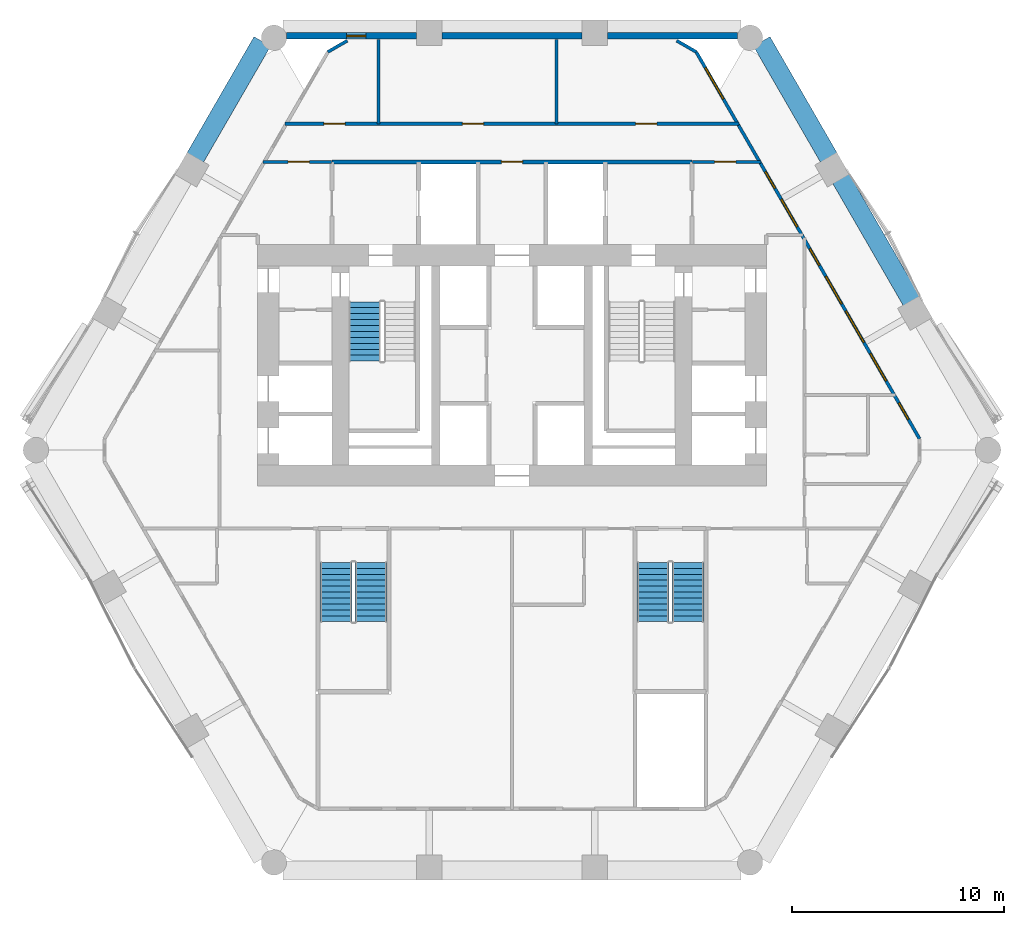
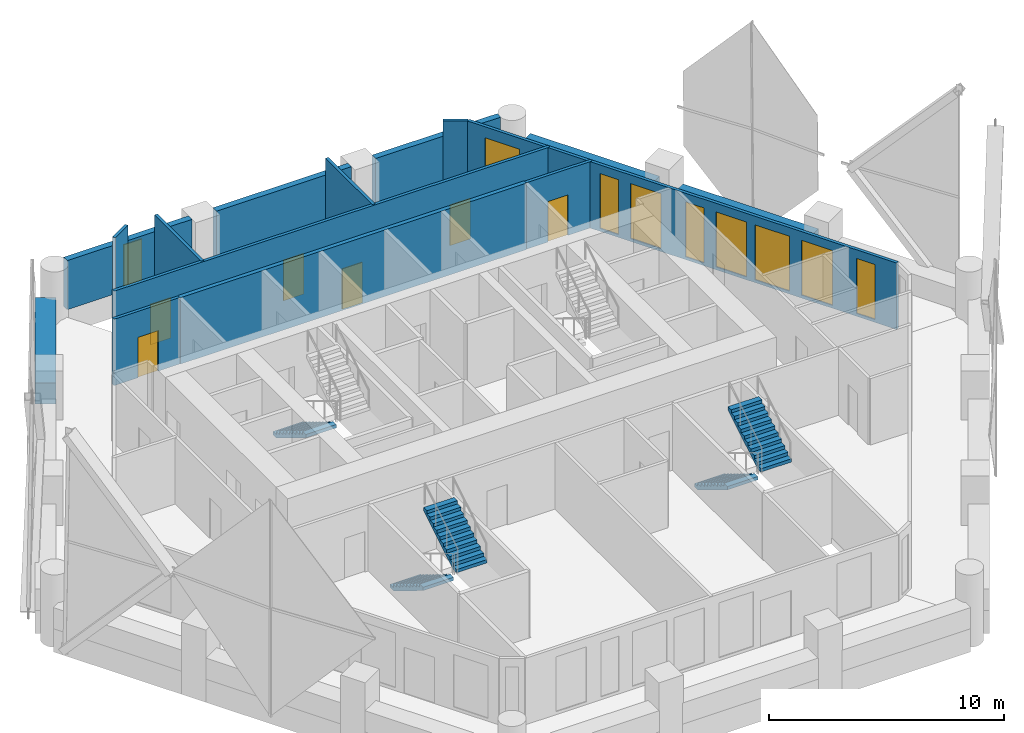
# One storey, part 13 of 16: 15 walls, 9 windows, 6 doors, 5 stair flights, 15 openings, 3 elements without a shape of their own.
"""IFC4 building model written with IfcOpenShell, lengths in metres."""

from ifc_helpers import new_model, si_unit, direction, frame, frame_2d, origin, place, context, subcontext, project, spatial, polyline, rectangle, outline, extrude, material, layer, layer_set, type_object, element, fill, aggregate, save


model = new_model("IFC4")

# Units and contexts
model_context = context("Model", 3, precision=1e-05, world=origin(), true_north=direction((0.0, 1.0)))
body_context = subcontext(model_context, "Body", "Model", "MODEL_VIEW")
ifc_project = project(units=[si_unit("LENGTHUNIT", "METRE"), si_unit("AREAUNIT", "SQUARE_METRE"), si_unit("VOLUMEUNIT", "CUBIC_METRE"), si_unit("PLANEANGLEUNIT", "RADIAN"), si_unit("MASSUNIT", "GRAM", prefix="KILO")], contexts=[model_context])

# Site, building, storey
site_placement = place(None, origin())
site = spatial("IfcSite", under=ifc_project, at=site_placement, CompositionType="ELEMENT")
building_placement = place(site_placement, origin())
building = spatial("IfcBuilding", under=site, at=building_placement, Name="Ostrander Bayou Hotel Tower", CompositionType="ELEMENT")
storey_placement = place(building_placement, frame((0.0, 0.0, 85.5)))
storey = spatial("IfcBuildingStorey", under=building, at=storey_placement, Name="L21", CompositionType="ELEMENT", Elevation=85.5)

# Wall, openings, windows
ifc_material_1 = material(Name="Aluminium framed insulated wall", Category="aluminium")
ifc_layer_1 = layer(ifc_material_1, 0.14990234375)
ifc_layer_set_1 = layer_set([ifc_layer_1], Name="GW1 glass-line wall 150 mm")
wall_type_1 = type_object("IfcWallType", Name="GW1 glass-line wall 150 mm", PredefinedType="SOLIDWALL", material=ifc_layer_set_1)
wall_1_placement = place(storey_placement, frame((19.23583984375, 0.532470703125, 0.0), z_axis=(0.0, 0.0, 1.0), x_axis=(-0.49999341138, 0.866029207692, 0.0)))
wall_1 = element("IfcWall", 1, at=wall_1_placement, inside=storey, type_object=wall_type_1, Name="GW1 L21 NE 1", PredefinedType="SOLIDWALL", context=body_context, shape_type="SweptSolid", body=[
    extrude(rectangle(XDim=21.084716796875, YDim=0.14990234375, at=frame_2d((10.54248046875, 0.0))), origin(), (0.0, 0.0, 1.0), 3.449951171875),
])
opening_1_placement = place(wall_1_placement, frame((1.056884765625, 0.0, 0.14990234375)))
opening_1 = element("IfcOpeningElement", 2, at=opening_1_placement, cuts=wall_1, Name="Opening W16", PredefinedType="OPENING", context=body_context, shape_type="SweptSolid", body=[
    extrude(rectangle(XDim=0.89990234375, YDim=2.85009765625, at=frame_2d((0.449951171875, 1.425048828125))), frame((0.0, 0.074951171875, 0.0), z_axis=(0.0, -1.0, 0.0), x_axis=(1.0, 0.0, 0.0)), (0.0, 0.0, 1.0), 0.14990234375),
])
opening_2_placement = place(wall_1_placement, frame((3.15673828125, 0.0, 0.14990234375)))
opening_2 = element("IfcOpeningElement", 3, at=opening_2_placement, cuts=wall_1, Name="Opening W12", PredefinedType="OPENING", context=body_context, shape_type="SweptSolid", body=[
    extrude(rectangle(XDim=1.5, YDim=2.85009765625, at=frame_2d((0.75, 1.425048828125))), frame((0.0, 0.074951171875, 0.0), z_axis=(0.0, -1.0, 0.0), x_axis=(1.0, 0.0, 0.0)), (0.0, 0.0, 1.0), 0.14990234375),
])
opening_3_placement = place(wall_1_placement, frame((5.2568359375, 0.0, 0.14990234375)))
opening_3 = element("IfcOpeningElement", 4, at=opening_3_placement, cuts=wall_1, Name="Opening W2", PredefinedType="OPENING", context=body_context, shape_type="SweptSolid", body=[
    extrude(rectangle(XDim=1.699951171875, YDim=2.85009765625, at=frame_2d((0.85009765625, 1.425048828125))), frame((0.0, 0.074951171875, 0.0), z_axis=(0.0, -1.0, 0.0), x_axis=(1.0, 0.0, 0.0)), (0.0, 0.0, 1.0), 0.14990234375),
])
opening_4_placement = place(wall_1_placement, frame((7.356689453125, 0.0, 0.14990234375)))
opening_4 = element("IfcOpeningElement", 5, at=opening_4_placement, cuts=wall_1, Name="Opening W12", PredefinedType="OPENING", context=body_context, shape_type="SweptSolid", body=[
    extrude(rectangle(XDim=1.5, YDim=2.85009765625, at=frame_2d((0.75, 1.425048828125))), frame((0.0, 0.074951171875, 0.0), z_axis=(0.0, -1.0, 0.0), x_axis=(1.0, 0.0, 0.0)), (0.0, 0.0, 1.0), 0.14990234375),
])
opening_5_placement = place(wall_1_placement, frame((9.456787109375, 0.0, 0.14990234375)))
opening_5 = element("IfcOpeningElement", 6, at=opening_5_placement, cuts=wall_1, Name="Opening W16", PredefinedType="OPENING", context=body_context, shape_type="SweptSolid", body=[
    extrude(rectangle(XDim=0.89990234375, YDim=2.85009765625, at=frame_2d((0.449951171875, 1.425048828125))), frame((0.0, 0.074951171875, 0.0), z_axis=(0.0, -1.0, 0.0), x_axis=(1.0, 0.0, 0.0)), (0.0, 0.0, 1.0), 0.14990234375),
])
opening_6_placement = place(wall_1_placement, frame((11.556884765625, 0.0, 0.14990234375)))
opening_6 = element("IfcOpeningElement", 7, at=opening_6_placement, cuts=wall_1, Name="Opening W12", PredefinedType="OPENING", context=body_context, shape_type="SweptSolid", body=[
    extrude(rectangle(XDim=1.5, YDim=2.85009765625, at=frame_2d((0.75, 1.425048828125))), frame((0.0, 0.074951171875, 0.0), z_axis=(0.0, -1.0, 0.0), x_axis=(1.0, 0.0, 0.0)), (0.0, 0.0, 1.0), 0.14990234375),
])
opening_7_placement = place(wall_1_placement, frame((13.65673828125, 0.0, 0.14990234375)))
opening_7 = element("IfcOpeningElement", 8, at=opening_7_placement, cuts=wall_1, Name="Opening W16", PredefinedType="OPENING", context=body_context, shape_type="SweptSolid", body=[
    extrude(rectangle(XDim=0.89990234375, YDim=2.85009765625, at=frame_2d((0.449951171875, 1.425048828125))), frame((0.0, 0.074951171875, 0.0), z_axis=(0.0, -1.0, 0.0), x_axis=(1.0, 0.0, 0.0)), (0.0, 0.0, 1.0), 0.14990234375),
])
opening_8_placement = place(wall_1_placement, frame((18.520751953125, 0.0, 0.14990234375)))
opening_8 = element("IfcOpeningElement", 9, at=opening_8_placement, cuts=wall_1, Name="Opening W2", PredefinedType="OPENING", context=body_context, shape_type="SweptSolid", body=[
    extrude(rectangle(XDim=1.699951171875, YDim=2.72998046875, at=frame_2d((0.85009765625, 1.364990234375))), frame((0.0, 0.074951171875, 0.0), z_axis=(0.0, -1.0, 0.0), x_axis=(1.0, 0.0, 0.0)), (0.0, 0.0, 1.0), 0.14990234375),
])
ifc_material_2 = material(Name="Aluminium and clear glass", Category="aluminium")
window_type_1 = type_object("IfcWindowType", Name="W12 fixed window 1500 mm, bath bay, zone 2", PartitioningType="SINGLE_PANEL", PredefinedType="WINDOW", material=ifc_material_2)
window_1_placement = place(opening_2_placement, origin())
window_1 = element("IfcWindow", 10, at=window_1_placement, inside=storey, type_object=window_type_1, Name="W12 L21 NE 1", OverallHeight=2.85009765625, OverallWidth=1.5, PartitioningType="SINGLE_PANEL", PredefinedType="WINDOW", context=body_context, shape_type="SweptSolid", body=[
    extrude(rectangle(XDim=1.5, YDim=2.85009765625, at=frame_2d((0.75, 1.425048828125))), frame((0.0, 0.030029296875, 0.0), z_axis=(0.0, -1.0, 0.0), x_axis=(1.0, 0.0, 0.0)), (0.0, 0.0, 1.0), 0.06005859375),
])
fill(opening_2, window_1)
window_2_placement = place(opening_4_placement, origin())
window_2 = element("IfcWindow", 11, at=window_2_placement, inside=storey, type_object=window_type_1, Name="W12 L21 NE 2", OverallHeight=2.85009765625, OverallWidth=1.5, PartitioningType="SINGLE_PANEL", PredefinedType="WINDOW", context=body_context, shape_type="SweptSolid", body=[
    extrude(rectangle(XDim=1.5, YDim=2.85009765625, at=frame_2d((0.75, 1.425048828125))), frame((0.0, 0.030029296875, 0.0), z_axis=(0.0, -1.0, 0.0), x_axis=(1.0, 0.0, 0.0)), (0.0, 0.0, 1.0), 0.06005859375),
])
fill(opening_4, window_2)
window_3_placement = place(opening_6_placement, origin())
window_3 = element("IfcWindow", 12, at=window_3_placement, inside=storey, type_object=window_type_1, Name="W12 L21 NE 3", OverallHeight=2.85009765625, OverallWidth=1.5, PartitioningType="SINGLE_PANEL", PredefinedType="WINDOW", context=body_context, shape_type="SweptSolid", body=[
    extrude(rectangle(XDim=1.5, YDim=2.85009765625, at=frame_2d((0.75, 1.425048828125))), frame((0.0, 0.030029296875, 0.0), z_axis=(0.0, -1.0, 0.0), x_axis=(1.0, 0.0, 0.0)), (0.0, 0.0, 1.0), 0.06005859375),
])
fill(opening_6, window_3)
ifc_material_3 = material(Name="Aluminium and clear glass", Category="aluminium")
window_type_2 = type_object("IfcWindowType", Name="W16 window 900 mm, zone 2", PartitioningType="SINGLE_PANEL", PredefinedType="WINDOW", material=ifc_material_3)
window_4_placement = place(opening_1_placement, origin())
window_4 = element("IfcWindow", 13, at=window_4_placement, inside=storey, type_object=window_type_2, Name="W16 L21 NE 1", OverallHeight=2.85009765625, OverallWidth=0.89990234375, PartitioningType="SINGLE_PANEL", PredefinedType="WINDOW", context=body_context, shape_type="SweptSolid", body=[
    extrude(rectangle(XDim=0.89990234375, YDim=2.85009765625, at=frame_2d((0.449951171875, 1.425048828125))), frame((0.0, 0.030029296875, 0.0), z_axis=(0.0, -1.0, 0.0), x_axis=(1.0, 0.0, 0.0)), (0.0, 0.0, 1.0), 0.06005859375),
])
fill(opening_1, window_4)
window_5_placement = place(opening_5_placement, origin())
window_5 = element("IfcWindow", 14, at=window_5_placement, inside=storey, type_object=window_type_2, Name="W16 L21 NE 3", OverallHeight=2.85009765625, OverallWidth=0.89990234375, PartitioningType="SINGLE_PANEL", PredefinedType="WINDOW", context=body_context, shape_type="SweptSolid", body=[
    extrude(rectangle(XDim=0.89990234375, YDim=2.85009765625, at=frame_2d((0.449951171875, 1.425048828125))), frame((0.0, 0.030029296875, 0.0), z_axis=(0.0, -1.0, 0.0), x_axis=(1.0, 0.0, 0.0)), (0.0, 0.0, 1.0), 0.06005859375),
])
fill(opening_5, window_5)
window_6_placement = place(opening_7_placement, origin())
window_6 = element("IfcWindow", 15, at=window_6_placement, inside=storey, type_object=window_type_2, Name="W16 L21 NE 4", OverallHeight=2.85009765625, OverallWidth=0.89990234375, PartitioningType="SINGLE_PANEL", PredefinedType="WINDOW", context=body_context, shape_type="SweptSolid", body=[
    extrude(rectangle(XDim=0.89990234375, YDim=2.85009765625, at=frame_2d((0.449951171875, 1.425048828125))), frame((0.0, 0.030029296875, 0.0), z_axis=(0.0, -1.0, 0.0), x_axis=(1.0, 0.0, 0.0)), (0.0, 0.0, 1.0), 0.06005859375),
])
fill(opening_7, window_6)
ifc_material_4 = material(Name="Aluminium and clear glass", Category="aluminium")
window_type_3 = type_object("IfcWindowType", Name="W2 fixed window 1700 mm, zone 2", PartitioningType="SINGLE_PANEL", PredefinedType="WINDOW", material=ifc_material_4)
window_7_placement = place(opening_3_placement, origin())
window_7 = element("IfcWindow", 16, at=window_7_placement, inside=storey, type_object=window_type_3, Name="W2 L21 NE 2", OverallHeight=2.85009765625, OverallWidth=1.699951171875, PartitioningType="SINGLE_PANEL", PredefinedType="WINDOW", context=body_context, shape_type="SweptSolid", body=[
    extrude(rectangle(XDim=1.699951171875, YDim=2.85009765625, at=frame_2d((0.85009765625, 1.425048828125))), frame((0.0, 0.030029296875, 0.0), z_axis=(0.0, -1.0, 0.0), x_axis=(1.0, 0.0, 0.0)), (0.0, 0.0, 1.0), 0.06005859375),
])
fill(opening_3, window_7)
window_8_placement = place(opening_8_placement, origin())
window_8 = element("IfcWindow", 17, at=window_8_placement, inside=storey, type_object=window_type_3, Name="W2 L21 NE E21", OverallHeight=2.72998046875, OverallWidth=1.699951171875, PartitioningType="SINGLE_PANEL", PredefinedType="WINDOW", context=body_context, shape_type="SweptSolid", body=[
    extrude(rectangle(XDim=1.699951171875, YDim=2.72998046875, at=frame_2d((0.85009765625, 1.364990234375))), frame((0.0, 0.030029296875, 0.0), z_axis=(0.0, -1.0, 0.0), x_axis=(1.0, 0.0, 0.0)), (0.0, 0.0, 1.0), 0.06005859375),
])
fill(opening_8, window_8)

# Walls
for number, where, z_axis, x_axis, name in (
    (18, (-7.77099609375, 19.324951171875, 0.0), (0.0, 0.0, 1.0), (-0.866105447774, -0.499861334108, 0.0), "GW1 L21 corner 1"),
    (19, (8.693603515625, 18.79248046875, 0.0), (0.0, 0.0, 1.0), (-0.866105447774, 0.499861334108, 0.0), "GW1 L21 corner 6"),
):
    element("IfcWall", number, at=place(storey_placement, frame(where, z_axis=z_axis, x_axis=x_axis)), inside=storey, type_object=wall_type_1, Name=name, PredefinedType="SOLIDWALL", context=body_context, shape_type="SweptSolid", body=[
        extrude(rectangle(XDim=1.065185546875, YDim=0.14990234375, at=frame_2d((0.53271484375, 0.0))), origin(), (0.0, 0.0, 1.0), 3.449951171875),
    ])
ifc_material_5 = material(Name="Reconstituted stone on masonry backing", Category="masonry")
ifc_layer_2 = layer(ifc_material_5, 0.300048828125)
ifc_layer_set_2 = layer_set([ifc_layer_2], Name="NW1 north stone wall 300 mm")
wall_type_2 = type_object("IfcWallType", Name="NW1 north stone wall 300 mm", PredefinedType="SOLIDWALL", material=ifc_layer_set_2)
wall_2_placement = place(storey_placement, frame((10.6435546875, 19.550048828125, 0.0), z_axis=(0.0, 0.0, 1.0), x_axis=(-1.0, 0.0, 0.0)))
element("IfcWall", 20, at=wall_2_placement, inside=storey, type_object=wall_type_2, Name="NW1 L21 N-1", PredefinedType="SOLIDWALL", context=body_context, shape_type="SweptSolid", body=[
    extrude(rectangle(XDim=6.136962890625, YDim=0.300048828125, at=frame_2d((3.068359375, 0.0))), origin(), (0.0, 0.0, 1.0), 2.550048828125),
])
wall_3_placement = place(storey_placement, frame((3.306640625, 19.550048828125, 0.0), z_axis=(0.0, 0.0, 1.0), x_axis=(-1.0, 0.0, 0.0)))
element("IfcWall", 21, at=wall_3_placement, inside=storey, type_object=wall_type_2, Name="NW1 L21 N-2", PredefinedType="SOLIDWALL", context=body_context, shape_type="SweptSolid", body=[
    extrude(rectangle(XDim=6.61328125, YDim=0.300048828125, at=frame_2d((3.306640625, 0.0))), origin(), (0.0, 0.0, 1.0), 2.550048828125),
])

# Wall, opening, window
wall_4_placement = place(storey_placement, frame((-4.506591796875, 19.550048828125, 0.0), z_axis=(0.0, 0.0, 1.0), x_axis=(-1.0, 0.0, 0.0)))
wall_4 = element("IfcWall", 22, at=wall_4_placement, inside=storey, type_object=wall_type_2, Name="NW1 L21 N-3", PredefinedType="SOLIDWALL", context=body_context, shape_type="SweptSolid", body=[
    extrude(rectangle(XDim=6.136962890625, YDim=0.300048828125, at=frame_2d((3.068359375, 0.0))), origin(), (0.0, 0.0, 1.0), 2.550048828125),
])
opening_9_placement = place(wall_4_placement, frame((2.393310546875, 0.0, 0.14990234375)))
opening_9 = element("IfcOpeningElement", 23, at=opening_9_placement, cuts=wall_4, Name="Opening W16", PredefinedType="OPENING", context=body_context, shape_type="SweptSolid", body=[
    extrude(rectangle(XDim=0.89990234375, YDim=2.14990234375, at=frame_2d((0.449951171875, 1.074951171875))), frame((0.0, 0.14990234375, 0.0), z_axis=(0.0, -1.0, 0.0), x_axis=(1.0, 0.0, 0.0)), (0.0, 0.0, 1.0), 0.300048828125),
])
window_9_placement = place(opening_9_placement, origin())
window_9 = element("IfcWindow", 24, at=window_9_placement, inside=storey, type_object=window_type_2, Name="W16 L21 north N-3", OverallHeight=2.14990234375, OverallWidth=0.89990234375, PartitioningType="SINGLE_PANEL", PredefinedType="WINDOW", context=body_context, shape_type="SweptSolid", body=[
    extrude(rectangle(XDim=0.89990234375, YDim=2.14990234375, at=frame_2d((0.449951171875, 1.074951171875))), frame((0.0, 0.030029296875, 0.0), z_axis=(0.0, -1.0, 0.0), x_axis=(1.0, 0.0, 0.0)), (0.0, 0.0, 1.0), 0.06005859375),
])
fill(opening_9, window_9)

# Walls
ifc_material_6 = material(Name="Concrete f'c 40 MPa", Category="concrete")
ifc_layer_3 = layer(ifc_material_6, 0.89990234375)
ifc_layer_set_3 = layer_set([ifc_layer_3], Name="PA1 stone-faced parapet 900 mm")
wall_type_3 = type_object("IfcWallType", Name="PA1 stone-faced parapet 900 mm", PredefinedType="PARAPET", material=ifc_layer_set_3)
wall_5_placement = place(storey_placement, frame((-11.785888671875, 19.286376953125, 0.0), z_axis=(0.0, 0.0, 1.0), x_axis=(-0.499982754166, -0.866035360443, 0.0)))
element("IfcWall", 25, at=wall_5_placement, inside=storey, type_object=wall_type_3, Name="PA1 L21 NW-1", PredefinedType="PARAPET", context=body_context, shape_type="SweptSolid", body=[
    extrude(rectangle(XDim=6.332763671875, YDim=0.89990234375, at=frame_2d((3.16650390625, 0.0))), origin(), (0.0, 0.0, 1.0), 1.10009765625),
])
wall_6_placement = place(storey_placement, frame((18.85888671875, 7.035400390625, 0.0), z_axis=(0.0, 0.0, 1.0), x_axis=(-0.499999023957, 0.866025967302, 0.0)))
element("IfcWall", 26, at=wall_6_placement, inside=storey, type_object=wall_type_3, Name="PA1 L21 NE-2", PredefinedType="PARAPET", context=body_context, shape_type="SweptSolid", body=[
    extrude(rectangle(XDim=6.67333984375, YDim=0.89990234375, at=frame_2d((3.336669921875, 0.0))), origin(), (0.0, 0.0, 1.0), 1.10009765625),
])
wall_7_placement = place(storey_placement, frame((14.9521484375, 13.802001953125, 0.0), z_axis=(0.0, 0.0, 1.0), x_axis=(-0.499982754166, 0.866035360443, 0.0)))
element("IfcWall", 27, at=wall_7_placement, inside=storey, type_object=wall_type_3, Name="PA1 L21 NE-3", PredefinedType="PARAPET", context=body_context, shape_type="SweptSolid", body=[
    extrude(rectangle(XDim=6.332763671875, YDim=0.89990234375, at=frame_2d((3.16650390625, 0.0))), origin(), (0.0, 0.0, 1.0), 1.10009765625),
])

# Wall, opening, door
ifc_material_7 = material(Name="Masonry block", Category="masonry")
ifc_layer_4 = layer(ifc_material_7, 0.199951171875)
ifc_layer_set_4 = layer_set([ifc_layer_4], Name="PT5 stair enclosure wall 200 mm masonry, 2 hour")
wall_type_4 = type_object("IfcWallType", Name="PT5 stair enclosure wall 200 mm masonry, 2 hour", PredefinedType="PARTITIONING", material=ifc_layer_set_4)
wall_8_placement = place(storey_placement, frame((-8.5, 13.60009765625, 0.0), z_axis=(0.0, 0.0, 1.0), x_axis=(1.0, 0.0, 0.0)))
wall_8 = element("IfcWall", 28, at=wall_8_placement, inside=storey, type_object=wall_type_4, Name="cs:L21:025", PredefinedType="PARTITIONING", context=body_context, shape_type="SweptSolid", body=[
    extrude(rectangle(XDim=17.0, YDim=0.199951171875, at=frame_2d((8.5, 0.0))), origin(), (0.0, 0.0, 1.0), 3.449951171875),
])
opening_10_placement = place(wall_8_placement, frame((8.0, 0.0, 0.0)))
opening_10 = element("IfcOpeningElement", 29, at=opening_10_placement, cuts=wall_8, Name="Opening T21-013", PredefinedType="OPENING", context=body_context, shape_type="SweptSolid", body=[
    extrude(rectangle(XDim=1.0, YDim=2.10009765625, at=frame_2d((0.5, 1.050048828125))), frame((0.0, 0.10009765625, 0.0), z_axis=(0.0, -1.0, 0.0), x_axis=(1.0, 0.0, 0.0)), (0.0, 0.0, 1.0), 0.199951171875),
])
ifc_material_8 = material(Name="Timber door leaf", Category="wood")
door_type_1 = type_object("IfcDoorType", Name="D9 service door 1000 x 2100 mm, 30 minute", OperationType="SINGLE_SWING_LEFT", PredefinedType="DOOR", material=ifc_material_8)
door_1_placement = place(opening_10_placement, origin())
door_1 = element("IfcDoor", 30, at=door_1_placement, inside=storey, type_object=door_type_1, Name="dr:L21:013", OperationType="SINGLE_SWING_LEFT", OverallHeight=2.10009765625, OverallWidth=1.0, PredefinedType="DOOR", context=body_context, shape_type="SweptSolid", body=[
    extrude(rectangle(XDim=1.0, YDim=2.10009765625, at=frame_2d((0.5, 1.050048828125))), frame((0.0, 0.02490234375, 0.0), z_axis=(0.0, -1.0, 0.0), x_axis=(1.0, 0.0, 0.0)), (0.0, 0.0, 1.0), 0.050048828125),
])
fill(opening_10, door_1)

ifc_material_9 = material(Name="Gypsum board partition", Category="finish")
ifc_layer_5 = layer(ifc_material_9, 0.14990234375)
ifc_layer_set_5 = layer_set([ifc_layer_5], Name="PT8 service band wall 150 mm, 1 hour")
wall_type_5 = type_object("IfcWallType", Name="PT8 service band wall 150 mm, 1 hour", PredefinedType="PARTITIONING", material=ifc_layer_set_5)
wall_9_placement = place(storey_placement, frame((-11.742919921875, 13.60009765625, 0.0), z_axis=(0.0, 0.0, 1.0), x_axis=(1.0, 0.0, 0.0)))
wall_9 = element("IfcWall", 31, at=wall_9_placement, inside=storey, type_object=wall_type_5, Name="gw:L21:013", PredefinedType="PARTITIONING", context=body_context, shape_type="SweptSolid", body=[
    extrude(rectangle(XDim=3.23291015625, YDim=0.14990234375, at=frame_2d((1.616455078125, 0.0))), origin(), (0.0, 0.0, 1.0), 3.449951171875),
])
opening_11_placement = place(wall_9_placement, frame((1.177978515625, 0.0, 0.0)))
opening_11 = element("IfcOpeningElement", 32, at=opening_11_placement, cuts=wall_9, Name="Opening T21-416", PredefinedType="OPENING", context=body_context, shape_type="SweptSolid", body=[
    extrude(rectangle(XDim=1.0, YDim=2.10009765625, at=frame_2d((0.5, 1.050048828125))), frame((0.0, 0.074951171875, 0.0), z_axis=(0.0, -1.0, 0.0), x_axis=(1.0, 0.0, 0.0)), (0.0, 0.0, 1.0), 0.14990234375),
])
door_2_placement = place(opening_11_placement, origin())
door_2 = element("IfcDoor", 33, at=door_2_placement, inside=storey, type_object=door_type_1, Name="dr:L21:416", OperationType="SINGLE_SWING_RIGHT", OverallHeight=2.10009765625, OverallWidth=1.0, PredefinedType="DOOR", context=body_context, shape_type="SweptSolid", body=[
    extrude(rectangle(XDim=1.0, YDim=2.10009765625, at=frame_2d((0.5, 1.050048828125))), frame((0.0, 0.02490234375, 0.0), z_axis=(0.0, -1.0, 0.0), x_axis=(1.0, 0.0, 0.0)), (0.0, 0.0, 1.0), 0.050048828125),
])
fill(opening_11, door_2)

wall_10_placement = place(storey_placement, frame((8.510009765625, 13.60009765625, 0.0), z_axis=(0.0, 0.0, 1.0), x_axis=(1.0, 0.0, 0.0)))
wall_10 = element("IfcWall", 34, at=wall_10_placement, inside=storey, type_object=wall_type_5, Name="gw:L21:014", PredefinedType="PARTITIONING", context=body_context, shape_type="SweptSolid", body=[
    extrude(rectangle(XDim=3.23291015625, YDim=0.14990234375, at=frame_2d((1.616455078125, 0.0))), origin(), (0.0, 0.0, 1.0), 3.449951171875),
])
opening_12_placement = place(wall_10_placement, frame((1.054931640625, 0.0, 0.0)))
opening_12 = element("IfcOpeningElement", 35, at=opening_12_placement, cuts=wall_10, Name="Opening T21-417", PredefinedType="OPENING", context=body_context, shape_type="SweptSolid", body=[
    extrude(rectangle(XDim=1.0, YDim=2.10009765625, at=frame_2d((0.5, 1.050048828125))), frame((0.0, 0.074951171875, 0.0), z_axis=(0.0, -1.0, 0.0), x_axis=(1.0, 0.0, 0.0)), (0.0, 0.0, 1.0), 0.14990234375),
])
door_3_placement = place(opening_12_placement, origin())
door_3 = element("IfcDoor", 36, at=door_3_placement, inside=storey, type_object=door_type_1, Name="dr:L21:417", OperationType="SINGLE_SWING_LEFT", OverallHeight=2.10009765625, OverallWidth=1.0, PredefinedType="DOOR", context=body_context, shape_type="SweptSolid", body=[
    extrude(rectangle(XDim=1.0, YDim=2.10009765625, at=frame_2d((0.5, 1.050048828125))), frame((0.0, 0.02490234375, 0.0), z_axis=(0.0, -1.0, 0.0), x_axis=(1.0, 0.0, 0.0)), (0.0, 0.0, 1.0), 0.050048828125),
])
fill(opening_12, door_3)

# Wall, openings, doors
wall_11_placement = place(storey_placement, frame((-10.7041015625, 15.39990234375, 0.0), z_axis=(0.0, 0.0, 1.0), x_axis=(1.0, 0.0, 0.0)))
wall_11 = element("IfcWall", 37, at=wall_11_placement, inside=storey, type_object=wall_type_5, Name="gw:L21:015", PredefinedType="PARTITIONING", context=body_context, shape_type="SweptSolid", body=[
    extrude(rectangle(XDim=21.408203125, YDim=0.14990234375, at=frame_2d((10.7041015625, 0.0))), origin(), (0.0, 0.0, 1.0), 3.449951171875),
])
opening_13_placement = place(wall_11_placement, frame((1.824951171875, 0.0, 0.0)))
opening_13 = element("IfcOpeningElement", 38, at=opening_13_placement, cuts=wall_11, Name="Opening T21-413", PredefinedType="OPENING", context=body_context, shape_type="SweptSolid", body=[
    extrude(rectangle(XDim=1.0, YDim=2.10009765625, at=frame_2d((0.5, 1.050048828125))), frame((0.0, 0.074951171875, 0.0), z_axis=(0.0, -1.0, 0.0), x_axis=(1.0, 0.0, 0.0)), (0.0, 0.0, 1.0), 0.14990234375),
])
opening_14_placement = place(wall_11_placement, frame((8.362060546875, 0.0, 0.0)))
opening_14 = element("IfcOpeningElement", 39, at=opening_14_placement, cuts=wall_11, Name="Opening T21-414", PredefinedType="OPENING", context=body_context, shape_type="SweptSolid", body=[
    extrude(rectangle(XDim=1.0, YDim=2.10009765625, at=frame_2d((0.5, 1.050048828125))), frame((0.0, 0.074951171875, 0.0), z_axis=(0.0, -1.0, 0.0), x_axis=(1.0, 0.0, 0.0)), (0.0, 0.0, 1.0), 0.14990234375),
])
opening_15_placement = place(wall_11_placement, frame((16.535888671875, 0.0, 0.0)))
opening_15 = element("IfcOpeningElement", 40, at=opening_15_placement, cuts=wall_11, Name="Opening T21-415", PredefinedType="OPENING", context=body_context, shape_type="SweptSolid", body=[
    extrude(rectangle(XDim=1.0, YDim=2.10009765625, at=frame_2d((0.5, 1.050048828125))), frame((0.0, 0.074951171875, 0.0), z_axis=(0.0, -1.0, 0.0), x_axis=(1.0, 0.0, 0.0)), (0.0, 0.0, 1.0), 0.14990234375),
])
ifc_material_10 = material(Name="Timber door leaf", Category="wood")
door_type_2 = type_object("IfcDoorType", Name="D15 room door 1000 x 2100 mm", OperationType="SINGLE_SWING_LEFT", PredefinedType="DOOR", material=ifc_material_10)
door_4_placement = place(opening_13_placement, origin())
door_4 = element("IfcDoor", 41, at=door_4_placement, inside=storey, type_object=door_type_2, Name="dr:L21:413", OperationType="SINGLE_SWING_LEFT", OverallHeight=2.10009765625, OverallWidth=1.0, PredefinedType="DOOR", context=body_context, shape_type="SweptSolid", body=[
    extrude(rectangle(XDim=1.0, YDim=2.10009765625, at=frame_2d((0.5, 1.050048828125))), frame((0.0, 0.02490234375, 0.0), z_axis=(0.0, -1.0, 0.0), x_axis=(1.0, 0.0, 0.0)), (0.0, 0.0, 1.0), 0.050048828125),
])
fill(opening_13, door_4)
door_5_placement = place(opening_14_placement, origin())
door_5 = element("IfcDoor", 42, at=door_5_placement, inside=storey, type_object=door_type_2, Name="dr:L21:414", OperationType="SINGLE_SWING_RIGHT", OverallHeight=2.10009765625, OverallWidth=1.0, PredefinedType="DOOR", context=body_context, shape_type="SweptSolid", body=[
    extrude(rectangle(XDim=1.0, YDim=2.10009765625, at=frame_2d((0.5, 1.050048828125))), frame((0.0, 0.02490234375, 0.0), z_axis=(0.0, -1.0, 0.0), x_axis=(1.0, 0.0, 0.0)), (0.0, 0.0, 1.0), 0.050048828125),
])
fill(opening_14, door_5)
door_6_placement = place(opening_15_placement, origin())
door_6 = element("IfcDoor", 43, at=door_6_placement, inside=storey, type_object=door_type_1, Name="dr:L21:415", OperationType="SINGLE_SWING_LEFT", OverallHeight=2.10009765625, OverallWidth=1.0, PredefinedType="DOOR", context=body_context, shape_type="SweptSolid", body=[
    extrude(rectangle(XDim=1.0, YDim=2.10009765625, at=frame_2d((0.5, 1.050048828125))), frame((0.0, 0.02490234375, 0.0), z_axis=(0.0, -1.0, 0.0), x_axis=(1.0, 0.0, 0.0)), (0.0, 0.0, 1.0), 0.050048828125),
])
fill(opening_15, door_6)

# Walls
for number, where, z_axis, x_axis, name in (
    (44, (2.10009765625, 15.39990234375, 0.0), (0.0, 0.0, 1.0), (0.0, 1.0, 0.0), "gw:L21:023"),
    (45, (-6.300048828125, 15.39990234375, 0.0), (0.0, 0.0, 1.0), (0.0, 1.0, 0.0), "gw:L21:025"),
):
    element("IfcWall", number, at=place(storey_placement, frame(where, z_axis=z_axis, x_axis=x_axis)), inside=storey, type_object=wall_type_5, Name=name, PredefinedType="PARTITIONING", context=body_context, shape_type="SweptSolid", body=[
        extrude(rectangle(XDim=3.97021484375, YDim=0.14990234375, at=frame_2d((1.985107421875, 0.0))), origin(), (0.0, 0.0, 1.0), 3.449951171875),
    ])

# Stair, stair flight
ifc_material_11 = material(Name="Concrete f'c 45 MPa", Category="concrete")
stair_type = type_object("IfcStairType", Name="ST1 exit stair 1500 mm f'c 45 MPa", PredefinedType="HALF_TURN_STAIR", material=ifc_material_11)
stair_1_placement = place(storey_placement, origin())
stair_1 = element("IfcStair", 46, at=stair_1_placement, inside=storey, type_object=stair_type, Name="L21 exit stair A", PredefinedType="HALF_TURN_STAIR")
ifc_material_12 = material(Name="Concrete f'c 45 MPa", Category="concrete")
stair_flight_type = type_object("IfcStairFlightType", Name="SF1 stair flight 1500 mm f'c 45 MPa", PredefinedType="STRAIGHT", material=ifc_material_12)
stair_flight_1_placement = place(storey_placement, frame((-6.949951171875, 7.0, 0.0), z_axis=(0.0, 0.0, 1.0), x_axis=(0.0, -1.0, 0.0)))
stair_flight_1 = element("IfcStairFlight", 47, at=stair_flight_1_placement, type_object=stair_flight_type, Name="STA flight 1", NumberOfRisers=11, NumberOfTreads=10, PredefinedType="STRAIGHT", RiserHeight=0.170454545, TreadLength=0.28, context=body_context, shape_type="SweptSolid", body=[
    extrude(outline(polyline([(0.0, 0.0), (0.0, 0.17041015625), (0.280029296875, 0.17041015625), (0.280029296875, 0.3408203125), (0.56005859375, 0.3408203125), (0.56005859375, 0.511474609375), (0.840087890625, 0.511474609375), (0.840087890625, 0.681884765625), (1.1201171875, 0.681884765625), (1.1201171875, 0.852294921875), (1.39990234375, 0.852294921875), (1.39990234375, 1.022705078125), (1.679931640625, 1.022705078125), (1.679931640625, 1.193115234375), (1.9599609375, 1.193115234375), (1.9599609375, 1.363525390625), (2.239990234375, 1.363525390625), (2.239990234375, 1.5341796875), (2.52001953125, 1.5341796875), (2.52001953125, 1.70458984375), (2.800048828125, 1.70458984375), (2.800048828125, 1.875), (2.800048828125, 1.529052734375), (0.288330078125, 0.0), (0.0, 0.0)])), frame((0.0, 0.75, 0.0), z_axis=(0.0, -1.0, 0.0), x_axis=(1.0, 0.0, 0.0)), (0.0, 0.0, 1.0), 1.5),
])
aggregate(stair_1, [stair_flight_1])

# Stair, stair flights
stair_2_placement = place(storey_placement, origin())
stair_2 = element("IfcStair", 48, at=stair_2_placement, inside=storey, type_object=stair_type, Name="L21 exit stair C", PredefinedType="HALF_TURN_STAIR")
stair_flight_2_placement = place(storey_placement, frame((6.64990234375, -5.300048828125, 0.0), z_axis=(0.0, 0.0, 1.0), x_axis=(0.0, -1.0, 0.0)))
stair_flight_2 = element("IfcStairFlight", 49, at=stair_flight_2_placement, type_object=stair_flight_type, Name="STC flight 1", NumberOfRisers=11, NumberOfTreads=10, PredefinedType="STRAIGHT", RiserHeight=0.170454545, TreadLength=0.28, context=body_context, shape_type="SweptSolid", body=[
    extrude(outline(polyline([(0.0, 0.0), (0.0, 0.17041015625), (0.280029296875, 0.17041015625), (0.280029296875, 0.3408203125), (0.56005859375, 0.3408203125), (0.56005859375, 0.511474609375), (0.840087890625, 0.511474609375), (0.840087890625, 0.681884765625), (1.1201171875, 0.681884765625), (1.1201171875, 0.852294921875), (1.39990234375, 0.852294921875), (1.39990234375, 1.022705078125), (1.679931640625, 1.022705078125), (1.679931640625, 1.193115234375), (1.9599609375, 1.193115234375), (1.9599609375, 1.363525390625), (2.239990234375, 1.363525390625), (2.239990234375, 1.5341796875), (2.52001953125, 1.5341796875), (2.52001953125, 1.70458984375), (2.800048828125, 1.70458984375), (2.800048828125, 1.875), (2.800048828125, 1.529052734375), (0.288330078125, 0.0), (0.0, 0.0)])), frame((0.0, 0.75, 0.0), z_axis=(0.0, -1.0, 0.0), x_axis=(1.0, 0.0, 0.0)), (0.0, 0.0, 1.0), 1.5),
])
stair_flight_3_placement = place(storey_placement, frame((8.300048828125, -8.10009765625, 1.875), z_axis=(0.0, 0.0, 1.0), x_axis=(0.0, 1.0, 0.0)))
stair_flight_3 = element("IfcStairFlight", 50, at=stair_flight_3_placement, type_object=stair_flight_type, Name="STC flight 2", NumberOfRisers=11, NumberOfTreads=10, PredefinedType="STRAIGHT", RiserHeight=0.170454545, TreadLength=0.28, context=body_context, shape_type="SweptSolid", body=[
    extrude(outline(polyline([(0.0, 0.0), (0.0, 0.17041015625), (0.280029296875, 0.17041015625), (0.280029296875, 0.3408203125), (0.56005859375, 0.3408203125), (0.56005859375, 0.511474609375), (0.840087890625, 0.511474609375), (0.840087890625, 0.681884765625), (1.1201171875, 0.681884765625), (1.1201171875, 0.852294921875), (1.39990234375, 0.852294921875), (1.39990234375, 1.022705078125), (1.679931640625, 1.022705078125), (1.679931640625, 1.193115234375), (1.9599609375, 1.193115234375), (1.9599609375, 1.363525390625), (2.239990234375, 1.363525390625), (2.239990234375, 1.5341796875), (2.52001953125, 1.5341796875), (2.52001953125, 1.70458984375), (2.800048828125, 1.70458984375), (2.800048828125, 1.875), (2.800048828125, 1.529052734375), (0.288330078125, 0.0), (0.0, 0.0)])), frame((0.0, 0.75, 0.0), z_axis=(0.0, -1.0, 0.0), x_axis=(1.0, 0.0, 0.0)), (0.0, 0.0, 1.0), 1.5),
])
aggregate(stair_2, [stair_flight_2, stair_flight_3])

stair_3_placement = place(storey_placement, origin())
stair_3 = element("IfcStair", 51, at=stair_3_placement, inside=storey, type_object=stair_type, Name="L21 exit stair D", PredefinedType="HALF_TURN_STAIR")
stair_flight_4_placement = place(storey_placement, frame((-8.300048828125, -5.300048828125, 0.0), z_axis=(0.0, 0.0, 1.0), x_axis=(0.0, -1.0, 0.0)))
stair_flight_4 = element("IfcStairFlight", 52, at=stair_flight_4_placement, type_object=stair_flight_type, Name="STD flight 1", NumberOfRisers=11, NumberOfTreads=10, PredefinedType="STRAIGHT", RiserHeight=0.170454545, TreadLength=0.28, context=body_context, shape_type="SweptSolid", body=[
    extrude(outline(polyline([(0.0, 0.0), (0.0, 0.17041015625), (0.280029296875, 0.17041015625), (0.280029296875, 0.3408203125), (0.56005859375, 0.3408203125), (0.56005859375, 0.511474609375), (0.840087890625, 0.511474609375), (0.840087890625, 0.681884765625), (1.1201171875, 0.681884765625), (1.1201171875, 0.852294921875), (1.39990234375, 0.852294921875), (1.39990234375, 1.022705078125), (1.679931640625, 1.022705078125), (1.679931640625, 1.193115234375), (1.9599609375, 1.193115234375), (1.9599609375, 1.363525390625), (2.239990234375, 1.363525390625), (2.239990234375, 1.5341796875), (2.52001953125, 1.5341796875), (2.52001953125, 1.70458984375), (2.800048828125, 1.70458984375), (2.800048828125, 1.875), (2.800048828125, 1.529052734375), (0.288330078125, 0.0), (0.0, 0.0)])), frame((0.0, 0.75, 0.0), z_axis=(0.0, -1.0, 0.0), x_axis=(1.0, 0.0, 0.0)), (0.0, 0.0, 1.0), 1.5),
])
stair_flight_5_placement = place(storey_placement, frame((-6.64990234375, -8.10009765625, 1.875), z_axis=(0.0, 0.0, 1.0), x_axis=(0.0, 1.0, 0.0)))
stair_flight_5 = element("IfcStairFlight", 53, at=stair_flight_5_placement, type_object=stair_flight_type, Name="STD flight 2", NumberOfRisers=11, NumberOfTreads=10, PredefinedType="STRAIGHT", RiserHeight=0.170454545, TreadLength=0.28, context=body_context, shape_type="SweptSolid", body=[
    extrude(outline(polyline([(0.0, 0.0), (0.0, 0.17041015625), (0.280029296875, 0.17041015625), (0.280029296875, 0.3408203125), (0.56005859375, 0.3408203125), (0.56005859375, 0.511474609375), (0.840087890625, 0.511474609375), (0.840087890625, 0.681884765625), (1.1201171875, 0.681884765625), (1.1201171875, 0.852294921875), (1.39990234375, 0.852294921875), (1.39990234375, 1.022705078125), (1.679931640625, 1.022705078125), (1.679931640625, 1.193115234375), (1.9599609375, 1.193115234375), (1.9599609375, 1.363525390625), (2.239990234375, 1.363525390625), (2.239990234375, 1.5341796875), (2.52001953125, 1.5341796875), (2.52001953125, 1.70458984375), (2.800048828125, 1.70458984375), (2.800048828125, 1.875), (2.800048828125, 1.529052734375), (0.288330078125, 0.0), (0.0, 0.0)])), frame((0.0, 0.75, 0.0), z_axis=(0.0, -1.0, 0.0), x_axis=(1.0, 0.0, 0.0)), (0.0, 0.0, 1.0), 1.5),
])
aggregate(stair_3, [stair_flight_4, stair_flight_5])

save(model, "model.ifc")
